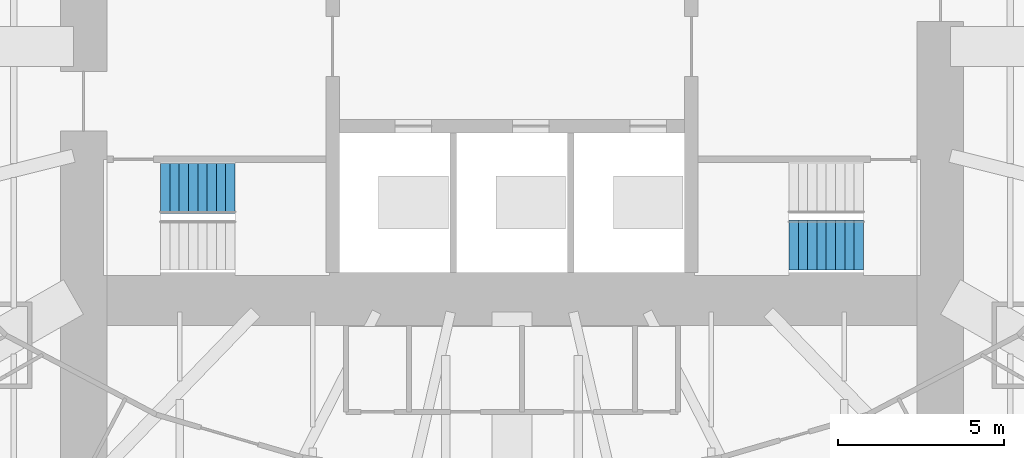
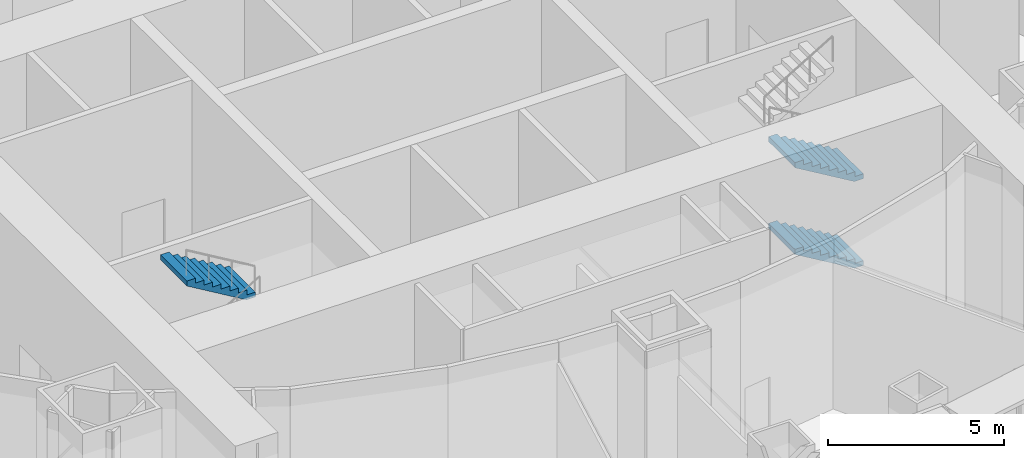
# One storey, part 17 of 21: 3 stair flights, 2 elements without a shape of their own.
"""IFC4 building model written with IfcOpenShell, lengths in metres."""

import ifcopenshell
import ifcopenshell.guid

model = None  # the IFC model being written
_history = None  # IfcOwnerHistory: only IFC2X3 demands one
_inside = {}  # id of a spatial element -> (the spatial element, [elements in it])
_under = {}  # id of a project, library or spatial element -> (it, [spatial elements below it])
_declared = {}  # id of a project -> (the project, [libraries it declares])
_typed = {}  # id of a type object -> (the type object, [elements of that type])
_made_of = {}  # id of a material, layer set ... -> (it, [elements and type objects made of it])


def new_model(schema):
    """Start an empty IFC model of exactly this schema.

    Asked for "IFC4X3", IfcOpenShell would pick the latest addendum, in which some entities
    have other attributes; the version numbers below select the first issue.
    IFC2X3 requires an IfcOwnerHistory on every rooted entity: one is made here for all.
    """
    global model, _history
    if schema == "IFC4X3":
        model = ifcopenshell.file(schema_version=(4, 3, 0, 0))
    else:
        model = ifcopenshell.file(schema=schema)
    _inside.clear()
    _under.clear()
    _declared.clear()
    _typed.clear()
    _made_of.clear()
    _history = None
    if model.schema == "IFC2X3":
        org = make("IfcOrganization", Name="unknown")
        user = make(
            "IfcPersonAndOrganization",
            ThePerson=make("IfcPerson", FamilyName="unknown"),
            TheOrganization=org,
        )
        app = make(
            "IfcApplication",
            ApplicationDeveloper=org,
            Version="unknown",
            ApplicationFullName="unknown",
            ApplicationIdentifier="unknown",
        )
        _history = make(
            "IfcOwnerHistory",
            OwningUser=user,
            OwningApplication=app,
            ChangeAction="ADDED",
            CreationDate=0,
        )
    return model


def make(cls, **values):
    """One entity of the class cls with the attributes given. An attribute that is None is left unset."""
    return model.create_entity(
        cls, **{name: value for name, value in values.items() if value is not None}
    )


def rooted(cls, **values):
    """An entity with a GlobalId (a new one), such as an element, a storey or a relation."""
    return make(cls, GlobalId=ifcopenshell.guid.new(), OwnerHistory=_history, **values)


def si_unit(unit_type, name, prefix=None):
    """IfcSIUnit, for example si_unit("LENGTHUNIT", "METRE", prefix="MILLI")."""
    return make("IfcSIUnit", UnitType=unit_type, Prefix=prefix, Name=name)


def assignment(units):
    """IfcUnitAssignment: the units of a project."""
    return None if units is None else make("IfcUnitAssignment", Units=units)


def point(xyz):
    """IfcCartesianPoint."""
    return None if xyz is None else make("IfcCartesianPoint", Coordinates=xyz)


def direction(xyz):
    """IfcDirection."""
    return None if xyz is None else make("IfcDirection", DirectionRatios=xyz)


def frame(location, z_axis=None, x_axis=None):
    """IfcAxis2Placement3D, a coordinate frame: its origin and axes. An axis left out is left unset."""
    return make(
        "IfcAxis2Placement3D",
        Location=point(location),
        Axis=direction(z_axis),
        RefDirection=direction(x_axis),
    )


def origin():
    """The frame at (0, 0, 0) with its axes left unset."""
    return frame((0.0, 0.0, 0.0))


def place(relative_to, where):
    """IfcLocalPlacement: puts the frame where relative to a parent placement (None: the world)."""
    return make(
        "IfcLocalPlacement", PlacementRelTo=relative_to, RelativePlacement=where
    )


def context(
    kind, dimensions, precision=None, world=None, true_north=None, identifier=None
):
    """IfcGeometricRepresentationContext, for example the 3D "Model" context."""
    return make(
        "IfcGeometricRepresentationContext",
        ContextIdentifier=identifier,
        ContextType=kind,
        CoordinateSpaceDimension=dimensions,
        Precision=precision,
        WorldCoordinateSystem=world,
        TrueNorth=true_north,
    )


def subcontext(parent, identifier, kind, view, scale=None):
    """IfcGeometricRepresentationSubContext, for example "Body" below "Model"."""
    return make(
        "IfcGeometricRepresentationSubContext",
        ContextIdentifier=identifier,
        ContextType=kind,
        ParentContext=parent,
        TargetScale=scale,
        TargetView=view,
    )


def project(units=None, contexts=None):
    """IfcProject with its units and contexts."""
    return rooted(
        "IfcProject",
        Name="project",
        RepresentationContexts=contexts,
        UnitsInContext=assignment(units),
    )


def spatial(cls, under=None, at=None, **own):
    """A site, building, storey or space (cls), placed at a placement, below another one or the project."""
    s = rooted(cls, ObjectPlacement=at, **own)
    if under is not None:
        _under.setdefault(under.id(), (under, []))[1].append(s)
    return s


def point_list(points):
    """IfcCartesianPointList2D or 3D."""
    cls = (
        "IfcCartesianPointList2D" if len(points[0]) == 2 else "IfcCartesianPointList3D"
    )
    return make(cls, CoordList=points)


def triangles(points, corners, closed=None, point_numbers=None):
    """IfcTriangulatedFaceSet: each triangle names its three corners, points numbered from 1."""
    return make(
        "IfcTriangulatedFaceSet",
        Coordinates=point_list(points),
        Closed=closed,
        CoordIndex=corners,
        PnIndex=point_numbers,
    )


def shape(context_of_items, identifier, shape_type, items):
    """IfcShapeRepresentation: the items that make up one representation, for example the "Body"."""
    return make(
        "IfcShapeRepresentation",
        ContextOfItems=context_of_items,
        RepresentationIdentifier=identifier,
        RepresentationType=shape_type,
        Items=items,
    )


def material(Name=None, Category=None):
    """IfcMaterial."""
    return make("IfcMaterial", Name=Name, Category=Category)


def made_of(thing, what):
    """Note that an element or type object is made of a material, layer set ...; save() writes the relation."""
    if what is not None:
        _made_of.setdefault(what.id(), (what, []))[1].append(thing)
    return thing


def type_object(cls, material=None, **own):
    """A type object (cls), such as IfcWallType, which elements share."""
    return made_of(rooted(cls, **own), material)


def element(
    cls,
    number,
    at=None,
    inside=None,
    cuts=None,
    type_object=None,
    material=None,
    context=None,
    identifier="Body",
    shape_type=None,
    held_by="IfcProductDefinitionShape",
    body=None,
    shapes=None,
    **own,
):
    """One element of the class cls, such as IfcWall. Its Tag is "e" and its number.

    at: its placement. inside: the storey or other place that contains it. cuts: it is an
    opening in that element (IfcRelVoidsElement). A single representation is given by context,
    identifier, shape_type and body (its items); several are given by shapes. held_by: the class
    of the entity that holds the representations. save() writes the other relations.
    """
    e = rooted(cls, Tag="e%d" % number, ObjectPlacement=at, **own)
    if body is not None:
        shapes = [shape(context, identifier, shape_type, body)]
    if shapes is not None:
        e.Representation = make(held_by, Representations=shapes)
    if inside is not None:
        _inside.setdefault(inside.id(), (inside, []))[1].append(e)
    if cuts is not None:
        rooted(
            "IfcRelVoidsElement", RelatingBuildingElement=cuts, RelatedOpeningElement=e
        )
    if type_object is not None:
        _typed.setdefault(type_object.id(), (type_object, []))[1].append(e)
    return made_of(e, material)


def aggregate(whole, parts):
    """IfcRelAggregates: a whole, such as a stair, and the parts it consists of."""
    return rooted("IfcRelAggregates", RelatingObject=whole, RelatedObjects=parts)


def save(model, path):
    """Write the relations noted so far, then the file.

    IfcRelAggregates (storeys below a building ...), IfcRelContainedInSpatialStructure (elements
    in a storey), IfcRelDefinesByType, IfcRelAssociatesMaterial and IfcRelDeclares: one each for
    every whole, place, type object, material and project.
    """
    for whole, parts in _under.values():
        aggregate(whole, parts)
    for where, things in _inside.values():
        rooted(
            "IfcRelContainedInSpatialStructure",
            RelatedElements=things,
            RelatingStructure=where,
        )
    for kind, things in _typed.values():
        rooted("IfcRelDefinesByType", RelatedObjects=things, RelatingType=kind)
    for what, things in _made_of.values():
        rooted("IfcRelAssociatesMaterial", RelatedObjects=things, RelatingMaterial=what)
    for by, libraries in _declared.values():
        rooted("IfcRelDeclares", RelatingContext=by, RelatedDefinitions=libraries)
    model.write(path)


model = new_model("IFC4")

# Units and contexts
model_context = context("Model", 3, precision=1e-05, world=origin(), true_north=direction((0.0, 1.0)))
body_context = subcontext(model_context, "Body", "Model", "MODEL_VIEW")
ifc_project = project(units=[si_unit("LENGTHUNIT", "METRE"), si_unit("AREAUNIT", "SQUARE_METRE"), si_unit("VOLUMEUNIT", "CUBIC_METRE"), si_unit("PLANEANGLEUNIT", "RADIAN"), si_unit("MASSUNIT", "GRAM", prefix="KILO")], contexts=[model_context])

# Site, building, storey
site_placement = place(None, origin())
site = spatial("IfcSite", under=ifc_project, at=site_placement, CompositionType="ELEMENT")
building_placement = place(site_placement, origin())
building = spatial("IfcBuilding", under=site, at=building_placement, Name="Lantaw Convention Tower", CompositionType="ELEMENT")
storey_placement = place(building_placement, frame((0.0, 0.0, 111.39990234375)))
storey = spatial("IfcBuildingStorey", under=building, at=storey_placement, Name="L26", CompositionType="ELEMENT", Elevation=111.39990234375)

# Stair, stair flight
ifc_material = material(Name="Concrete C35/45", Category="concrete")
stair_type = type_object("IfcStairType", Name="Exit stair 1500 riser 166.67 in 4 flights", PredefinedType="HALF_TURN_STAIR", material=ifc_material)
stair_1_placement = place(storey_placement, origin())
stair_1 = element("IfcStair", 1, at=stair_1_placement, inside=storey, type_object=stair_type, Name="Exit stair S1 L26", PredefinedType="HALF_TURN_STAIR")
stair_flight_type = type_object("IfcStairFlightType", Name="Stair flight 1500 riser 166.67", PredefinedType="STRAIGHT", material=ifc_material)
stair_flight_1_placement = place(storey_placement, frame((-8.340087890625, -4.280029296875, 4.5), z_axis=(0.0, 0.0, 1.0), x_axis=(-1.0, 0.0, 0.0)))
stair_flight_1 = element("IfcStairFlight", 2, at=stair_flight_1_placement, type_object=stair_flight_type, Name="S1 flight 4", NumberOfRisers=9, NumberOfTreads=8, PredefinedType="STRAIGHT", RiserHeight=0.166666667, TreadLength=0.28, context=body_context, shape_type="Tessellation", body=[
    triangles([(0.0, 0.75, 0.0), (0.0, 0.75, 0.166666667), (0.28, 0.75, 0.0), (0.28, 0.75, 0.166666667), (0.28, 0.75, 0.333333334), (0.2930734580690677, 0.75, 0.0), (0.2930734580690677, 0.75, 0.333333334), (0.56, 0.75, 0.1588848467052294), (0.56, 0.75, 0.333333334), (0.56, 0.75, 0.500000001), (0.8400000000000001, 0.75, 0.32555151370522933), (0.8400000000000001, 0.75, 0.500000001), (0.8400000000000001, 0.75, 0.666666668), (1.12, 0.75, 0.4922181807052293), (1.12, 0.75, 0.666666668), (1.12, 0.75, 0.833333335), (1.4000000000000001, 0.75, 0.6588848477052293), (1.4000000000000001, 0.75, 0.833333335), (1.4000000000000001, 0.75, 1.000000002), (1.6800000000000002, 0.75, 0.8255515147052293), (1.6800000000000002, 0.75, 1.000000002), (1.6800000000000002, 0.75, 1.166666669), (1.9600000000000002, 0.75, 0.9922181817052292), (1.9600000000000002, 0.75, 1.166666669), (1.9600000000000002, 0.75, 1.333333336), (2.24, 0.75, 1.1588848487052292), (2.24, 0.75, 1.333333336), (0.0, -0.75, 0.0), (0.0, -0.75, 0.166666667), (0.28, -0.75, 0.0), (0.28, -0.75, 0.166666667), (0.28, -0.75, 0.333333334), (0.2930734580690677, -0.75, 0.0), (0.2930734580690677, -0.75, 0.333333334), (0.56, -0.75, 0.1588848467052294), (0.56, -0.75, 0.333333334), (0.56, -0.75, 0.500000001), (0.8400000000000001, -0.75, 0.32555151370522933), (0.8400000000000001, -0.75, 0.500000001), (0.8400000000000001, -0.75, 0.666666668), (1.12, -0.75, 0.4922181807052293), (1.12, -0.75, 0.666666668), (1.12, -0.75, 0.833333335), (1.4000000000000001, -0.75, 0.6588848477052293), (1.4000000000000001, -0.75, 0.833333335), (1.4000000000000001, -0.75, 1.000000002), (1.6800000000000002, -0.75, 0.8255515147052293), (1.6800000000000002, -0.75, 1.000000002), (1.6800000000000002, -0.75, 1.166666669), (1.9600000000000002, -0.75, 0.9922181817052292), (1.9600000000000002, -0.75, 1.166666669), (1.9600000000000002, -0.75, 1.333333336), (2.24, -0.75, 1.1588848487052292), (2.24, -0.75, 1.333333336), (0.0, 0.15000000000000002, 0.166666667), (0.0, 0.15000000000000002, 0.0), (0.0, 0.0, 0.166666667), (0.0, 0.0, 0.0), (0.0, -0.15000000000000002, 0.166666667), (0.0, -0.15000000000000002, 0.0), (0.28, 0.15000000000000002, 0.333333334), (0.28, 0.15000000000000002, 0.166666667), (0.28, 0.0, 0.333333334), (0.28, 0.0, 0.166666667), (0.28, -0.15000000000000002, 0.333333334), (0.28, -0.15000000000000002, 0.166666667), (0.56, 0.15000000000000002, 0.500000001), (0.56, 0.15000000000000002, 0.333333334), (0.56, 0.0, 0.500000001), (0.56, 0.0, 0.333333334), (0.56, -0.15000000000000002, 0.500000001), (0.56, -0.15000000000000002, 0.333333334), (0.8400000000000001, 0.15000000000000002, 0.666666668), (0.8400000000000001, 0.15000000000000002, 0.500000001), (0.8400000000000001, 0.0, 0.666666668), (0.8400000000000001, 0.0, 0.500000001), (0.8400000000000001, -0.15000000000000002, 0.666666668), (0.8400000000000001, -0.15000000000000002, 0.500000001), (1.12, 0.15000000000000002, 0.833333335), (1.12, 0.15000000000000002, 0.666666668), (1.12, 0.0, 0.833333335), (1.12, 0.0, 0.666666668), (1.12, -0.15000000000000002, 0.833333335), (1.12, -0.15000000000000002, 0.666666668), (1.4000000000000001, 0.15000000000000002, 1.000000002), (1.4000000000000001, 0.15000000000000002, 0.833333335), (1.4000000000000001, 0.0, 1.000000002), (1.4000000000000001, 0.0, 0.833333335), (1.4000000000000001, -0.15000000000000002, 1.000000002), (1.4000000000000001, -0.15000000000000002, 0.833333335), (1.6800000000000002, 0.15000000000000002, 1.166666669), (1.6800000000000002, 0.15000000000000002, 1.000000002), (1.6800000000000002, 0.0, 1.166666669), (1.6800000000000002, 0.0, 1.000000002), (1.6800000000000002, -0.15000000000000002, 1.166666669), (1.6800000000000002, -0.15000000000000002, 1.000000002), (1.9600000000000002, 0.15000000000000002, 1.333333336), (1.9600000000000002, 0.15000000000000002, 1.166666669), (1.9600000000000002, 0.0, 1.333333336), (1.9600000000000002, 0.0, 1.166666669), (1.9600000000000002, -0.15000000000000002, 1.333333336), (1.9600000000000002, -0.15000000000000002, 1.166666669), (0.2930734580690677, 0.15000000000000002, 0.333333334), (0.2930734580690677, 0.0, 0.333333334), (0.2930734580690677, -0.15000000000000002, 0.333333334), (2.24, 0.15000000000000002, 1.333333336), (2.24, 0.0, 1.333333336), (2.24, -0.15000000000000002, 1.333333336), (2.24, 0.15000000000000002, 1.1588848487052292), (2.24, 0.0, 1.1588848487052292), (2.24, -0.15000000000000002, 1.1588848487052292), (1.9600000000000002, 0.15000000000000002, 0.9922181817052292), (1.9600000000000002, 0.0, 0.9922181817052292), (1.9600000000000002, -0.15000000000000002, 0.9922181817052292), (1.6800000000000002, 0.15000000000000002, 0.8255515147052293), (1.6800000000000002, 0.0, 0.8255515147052293), (1.6800000000000002, -0.15000000000000002, 0.8255515147052293), (1.4000000000000001, 0.15000000000000002, 0.6588848477052293), (1.4000000000000001, 0.0, 0.6588848477052293), (1.4000000000000001, -0.15000000000000002, 0.6588848477052293), (1.12, 0.15000000000000002, 0.4922181807052293), (1.12, 0.0, 0.4922181807052293), (1.12, -0.15000000000000002, 0.4922181807052293), (0.8400000000000001, 0.15000000000000002, 0.32555151370522933), (0.8400000000000001, 0.0, 0.32555151370522933), (0.8400000000000001, -0.15000000000000002, 0.32555151370522933), (0.56, 0.15000000000000002, 0.1588848467052294), (0.56, 0.0, 0.1588848467052294), (0.56, -0.15000000000000002, 0.1588848467052294), (0.2930734580690677, 0.15000000000000002, 0.0), (0.2930734580690677, 0.0, 0.0), (0.2930734580690677, -0.15000000000000002, 0.0), (0.28, 0.15000000000000002, 0.0), (0.28, 0.0, 0.0), (0.28, -0.15000000000000002, 0.0)], [[1, 4, 3], [1, 2, 4], [3, 4, 6], [4, 7, 6], [4, 5, 7], [6, 9, 8], [6, 7, 9], [8, 9, 11], [9, 12, 11], [9, 10, 12], [11, 12, 14], [12, 15, 14], [12, 13, 15], [14, 15, 17], [15, 18, 17], [15, 16, 18], [17, 18, 20], [18, 21, 20], [18, 19, 21], [20, 21, 23], [21, 24, 23], [21, 22, 24], [23, 24, 26], [24, 27, 26], [24, 25, 27], [28, 30, 31], [28, 31, 29], [30, 33, 31], [31, 33, 34], [31, 34, 32], [33, 35, 36], [33, 36, 34], [35, 38, 36], [36, 38, 39], [36, 39, 37], [38, 41, 39], [39, 41, 42], [39, 42, 40], [41, 44, 42], [42, 44, 45], [42, 45, 43], [44, 47, 45], [45, 47, 48], [45, 48, 46], [47, 50, 48], [48, 50, 51], [48, 51, 49], [50, 53, 51], [51, 53, 54], [51, 54, 52], [1, 55, 2], [1, 56, 55], [56, 57, 55], [56, 58, 57], [58, 59, 57], [58, 60, 59], [60, 29, 59], [60, 28, 29], [4, 61, 5], [4, 62, 61], [62, 63, 61], [62, 64, 63], [64, 65, 63], [64, 66, 65], [66, 32, 65], [66, 31, 32], [9, 67, 10], [9, 68, 67], [68, 69, 67], [68, 70, 69], [70, 71, 69], [70, 72, 71], [72, 37, 71], [72, 36, 37], [12, 73, 13], [12, 74, 73], [74, 75, 73], [74, 76, 75], [76, 77, 75], [76, 78, 77], [78, 40, 77], [78, 39, 40], [15, 79, 16], [15, 80, 79], [80, 81, 79], [80, 82, 81], [82, 83, 81], [82, 84, 83], [84, 43, 83], [84, 42, 43], [18, 85, 19], [18, 86, 85], [86, 87, 85], [86, 88, 87], [88, 89, 87], [88, 90, 89], [90, 46, 89], [90, 45, 46], [21, 91, 22], [21, 92, 91], [92, 93, 91], [92, 94, 93], [94, 95, 93], [94, 96, 95], [96, 49, 95], [96, 48, 49], [24, 97, 25], [24, 98, 97], [98, 99, 97], [98, 100, 99], [100, 101, 99], [100, 102, 101], [102, 52, 101], [102, 51, 52], [2, 62, 4], [2, 55, 62], [55, 64, 62], [55, 57, 64], [57, 66, 64], [57, 59, 66], [59, 31, 66], [59, 29, 31], [5, 103, 7], [5, 61, 103], [61, 104, 103], [61, 63, 104], [63, 105, 104], [63, 65, 105], [65, 34, 105], [65, 32, 34], [7, 68, 9], [7, 103, 68], [103, 70, 68], [103, 104, 70], [104, 72, 70], [104, 105, 72], [105, 36, 72], [105, 34, 36], [10, 74, 12], [10, 67, 74], [67, 76, 74], [67, 69, 76], [69, 78, 76], [69, 71, 78], [71, 39, 78], [71, 37, 39], [13, 80, 15], [13, 73, 80], [73, 82, 80], [73, 75, 82], [75, 84, 82], [75, 77, 84], [77, 42, 84], [77, 40, 42], [16, 86, 18], [16, 79, 86], [79, 88, 86], [79, 81, 88], [81, 90, 88], [81, 83, 90], [83, 45, 90], [83, 43, 45], [19, 92, 21], [19, 85, 92], [85, 94, 92], [85, 87, 94], [87, 96, 94], [87, 89, 96], [89, 48, 96], [89, 46, 48], [22, 98, 24], [22, 91, 98], [91, 100, 98], [91, 93, 100], [93, 102, 100], [93, 95, 102], [95, 51, 102], [95, 49, 51], [25, 106, 27], [25, 97, 106], [97, 107, 106], [97, 99, 107], [99, 108, 107], [99, 101, 108], [101, 54, 108], [101, 52, 54], [27, 109, 26], [27, 106, 109], [106, 110, 109], [106, 107, 110], [107, 111, 110], [107, 108, 111], [108, 53, 111], [108, 54, 53], [26, 112, 23], [26, 109, 112], [109, 113, 112], [109, 110, 113], [110, 114, 113], [110, 111, 114], [111, 50, 114], [111, 53, 50], [23, 115, 20], [23, 112, 115], [112, 116, 115], [112, 113, 116], [113, 117, 116], [113, 114, 117], [114, 47, 117], [114, 50, 47], [20, 118, 17], [20, 115, 118], [115, 119, 118], [115, 116, 119], [116, 120, 119], [116, 117, 120], [117, 44, 120], [117, 47, 44], [17, 121, 14], [17, 118, 121], [118, 122, 121], [118, 119, 122], [119, 123, 122], [119, 120, 123], [120, 41, 123], [120, 44, 41], [14, 124, 11], [14, 121, 124], [121, 125, 124], [121, 122, 125], [122, 126, 125], [122, 123, 126], [123, 38, 126], [123, 41, 38], [11, 127, 8], [11, 124, 127], [124, 128, 127], [124, 125, 128], [125, 129, 128], [125, 126, 129], [126, 35, 129], [126, 38, 35], [8, 130, 6], [8, 127, 130], [127, 131, 130], [127, 128, 131], [128, 132, 131], [128, 129, 132], [129, 33, 132], [129, 35, 33], [6, 133, 3], [6, 130, 133], [130, 134, 133], [130, 131, 134], [131, 135, 134], [131, 132, 135], [132, 30, 135], [132, 33, 30], [3, 56, 1], [3, 133, 56], [133, 58, 56], [133, 134, 58], [134, 60, 58], [134, 135, 60], [135, 28, 60], [135, 30, 28]], closed=True),
])
aggregate(stair_1, [stair_flight_1])

# Stair, stair flights
stair_2_placement = place(storey_placement, origin())
stair_2 = element("IfcStair", 3, at=stair_2_placement, inside=storey, type_object=stair_type, Name="Exit stair S2 L26", PredefinedType="HALF_TURN_STAIR")
stair_flight_2_placement = place(storey_placement, frame((10.580078125, -5.97998046875, 0.0), z_axis=(0.0, 0.0, 1.0), x_axis=(-1.0, 0.0, 0.0)))
stair_flight_2 = element("IfcStairFlight", 4, at=stair_flight_2_placement, type_object=stair_flight_type, Name="S2 flight 1", NumberOfRisers=9, NumberOfTreads=8, PredefinedType="STRAIGHT", RiserHeight=0.166666667, TreadLength=0.28, context=body_context, shape_type="Tessellation", body=[
    triangles([(0.0, 0.75, 0.0), (0.0, 0.75, 0.166666667), (0.28, 0.75, 0.0), (0.28, 0.75, 0.166666667), (0.28, 0.75, 0.333333334), (0.2930734580690677, 0.75, 0.0), (0.2930734580690677, 0.75, 0.333333334), (0.56, 0.75, 0.1588848467052294), (0.56, 0.75, 0.333333334), (0.56, 0.75, 0.500000001), (0.8400000000000001, 0.75, 0.32555151370522933), (0.8400000000000001, 0.75, 0.500000001), (0.8400000000000001, 0.75, 0.666666668), (1.12, 0.75, 0.4922181807052293), (1.12, 0.75, 0.666666668), (1.12, 0.75, 0.833333335), (1.4000000000000001, 0.75, 0.6588848477052293), (1.4000000000000001, 0.75, 0.833333335), (1.4000000000000001, 0.75, 1.000000002), (1.6800000000000002, 0.75, 0.8255515147052293), (1.6800000000000002, 0.75, 1.000000002), (1.6800000000000002, 0.75, 1.166666669), (1.9600000000000002, 0.75, 0.9922181817052292), (1.9600000000000002, 0.75, 1.166666669), (1.9600000000000002, 0.75, 1.333333336), (2.24, 0.75, 1.1588848487052292), (2.24, 0.75, 1.333333336), (0.0, -0.75, 0.0), (0.0, -0.75, 0.166666667), (0.28, -0.75, 0.0), (0.28, -0.75, 0.166666667), (0.28, -0.75, 0.333333334), (0.2930734580690677, -0.75, 0.0), (0.2930734580690677, -0.75, 0.333333334), (0.56, -0.75, 0.1588848467052294), (0.56, -0.75, 0.333333334), (0.56, -0.75, 0.500000001), (0.8400000000000001, -0.75, 0.32555151370522933), (0.8400000000000001, -0.75, 0.500000001), (0.8400000000000001, -0.75, 0.666666668), (1.12, -0.75, 0.4922181807052293), (1.12, -0.75, 0.666666668), (1.12, -0.75, 0.833333335), (1.4000000000000001, -0.75, 0.6588848477052293), (1.4000000000000001, -0.75, 0.833333335), (1.4000000000000001, -0.75, 1.000000002), (1.6800000000000002, -0.75, 0.8255515147052293), (1.6800000000000002, -0.75, 1.000000002), (1.6800000000000002, -0.75, 1.166666669), (1.9600000000000002, -0.75, 0.9922181817052292), (1.9600000000000002, -0.75, 1.166666669), (1.9600000000000002, -0.75, 1.333333336), (2.24, -0.75, 1.1588848487052292), (2.24, -0.75, 1.333333336), (0.0, 0.15000000000000002, 0.166666667), (0.0, 0.15000000000000002, 0.0), (0.0, 0.0, 0.166666667), (0.0, 0.0, 0.0), (0.0, -0.15000000000000002, 0.166666667), (0.0, -0.15000000000000002, 0.0), (0.28, 0.15000000000000002, 0.333333334), (0.28, 0.15000000000000002, 0.166666667), (0.28, 0.0, 0.333333334), (0.28, 0.0, 0.166666667), (0.28, -0.15000000000000002, 0.333333334), (0.28, -0.15000000000000002, 0.166666667), (0.56, 0.15000000000000002, 0.500000001), (0.56, 0.15000000000000002, 0.333333334), (0.56, 0.0, 0.500000001), (0.56, 0.0, 0.333333334), (0.56, -0.15000000000000002, 0.500000001), (0.56, -0.15000000000000002, 0.333333334), (0.8400000000000001, 0.15000000000000002, 0.666666668), (0.8400000000000001, 0.15000000000000002, 0.500000001), (0.8400000000000001, 0.0, 0.666666668), (0.8400000000000001, 0.0, 0.500000001), (0.8400000000000001, -0.15000000000000002, 0.666666668), (0.8400000000000001, -0.15000000000000002, 0.500000001), (1.12, 0.15000000000000002, 0.833333335), (1.12, 0.15000000000000002, 0.666666668), (1.12, 0.0, 0.833333335), (1.12, 0.0, 0.666666668), (1.12, -0.15000000000000002, 0.833333335), (1.12, -0.15000000000000002, 0.666666668), (1.4000000000000001, 0.15000000000000002, 1.000000002), (1.4000000000000001, 0.15000000000000002, 0.833333335), (1.4000000000000001, 0.0, 1.000000002), (1.4000000000000001, 0.0, 0.833333335), (1.4000000000000001, -0.15000000000000002, 1.000000002), (1.4000000000000001, -0.15000000000000002, 0.833333335), (1.6800000000000002, 0.15000000000000002, 1.166666669), (1.6800000000000002, 0.15000000000000002, 1.000000002), (1.6800000000000002, 0.0, 1.166666669), (1.6800000000000002, 0.0, 1.000000002), (1.6800000000000002, -0.15000000000000002, 1.166666669), (1.6800000000000002, -0.15000000000000002, 1.000000002), (1.9600000000000002, 0.15000000000000002, 1.333333336), (1.9600000000000002, 0.15000000000000002, 1.166666669), (1.9600000000000002, 0.0, 1.333333336), (1.9600000000000002, 0.0, 1.166666669), (1.9600000000000002, -0.15000000000000002, 1.333333336), (1.9600000000000002, -0.15000000000000002, 1.166666669), (0.2930734580690677, 0.15000000000000002, 0.333333334), (0.2930734580690677, 0.0, 0.333333334), (0.2930734580690677, -0.15000000000000002, 0.333333334), (2.24, 0.15000000000000002, 1.333333336), (2.24, 0.0, 1.333333336), (2.24, -0.15000000000000002, 1.333333336), (2.24, 0.15000000000000002, 1.1588848487052292), (2.24, 0.0, 1.1588848487052292), (2.24, -0.15000000000000002, 1.1588848487052292), (1.9600000000000002, 0.15000000000000002, 0.9922181817052292), (1.9600000000000002, 0.0, 0.9922181817052292), (1.9600000000000002, -0.15000000000000002, 0.9922181817052292), (1.6800000000000002, 0.15000000000000002, 0.8255515147052293), (1.6800000000000002, 0.0, 0.8255515147052293), (1.6800000000000002, -0.15000000000000002, 0.8255515147052293), (1.4000000000000001, 0.15000000000000002, 0.6588848477052293), (1.4000000000000001, 0.0, 0.6588848477052293), (1.4000000000000001, -0.15000000000000002, 0.6588848477052293), (1.12, 0.15000000000000002, 0.4922181807052293), (1.12, 0.0, 0.4922181807052293), (1.12, -0.15000000000000002, 0.4922181807052293), (0.8400000000000001, 0.15000000000000002, 0.32555151370522933), (0.8400000000000001, 0.0, 0.32555151370522933), (0.8400000000000001, -0.15000000000000002, 0.32555151370522933), (0.56, 0.15000000000000002, 0.1588848467052294), (0.56, 0.0, 0.1588848467052294), (0.56, -0.15000000000000002, 0.1588848467052294), (0.2930734580690677, 0.15000000000000002, 0.0), (0.2930734580690677, 0.0, 0.0), (0.2930734580690677, -0.15000000000000002, 0.0), (0.28, 0.15000000000000002, 0.0), (0.28, 0.0, 0.0), (0.28, -0.15000000000000002, 0.0)], [[1, 4, 3], [1, 2, 4], [3, 4, 6], [4, 7, 6], [4, 5, 7], [6, 9, 8], [6, 7, 9], [8, 9, 11], [9, 12, 11], [9, 10, 12], [11, 12, 14], [12, 15, 14], [12, 13, 15], [14, 15, 17], [15, 18, 17], [15, 16, 18], [17, 18, 20], [18, 21, 20], [18, 19, 21], [20, 21, 23], [21, 24, 23], [21, 22, 24], [23, 24, 26], [24, 27, 26], [24, 25, 27], [28, 30, 31], [28, 31, 29], [30, 33, 31], [31, 33, 34], [31, 34, 32], [33, 35, 36], [33, 36, 34], [35, 38, 36], [36, 38, 39], [36, 39, 37], [38, 41, 39], [39, 41, 42], [39, 42, 40], [41, 44, 42], [42, 44, 45], [42, 45, 43], [44, 47, 45], [45, 47, 48], [45, 48, 46], [47, 50, 48], [48, 50, 51], [48, 51, 49], [50, 53, 51], [51, 53, 54], [51, 54, 52], [1, 55, 2], [1, 56, 55], [56, 57, 55], [56, 58, 57], [58, 59, 57], [58, 60, 59], [60, 29, 59], [60, 28, 29], [4, 61, 5], [4, 62, 61], [62, 63, 61], [62, 64, 63], [64, 65, 63], [64, 66, 65], [66, 32, 65], [66, 31, 32], [9, 67, 10], [9, 68, 67], [68, 69, 67], [68, 70, 69], [70, 71, 69], [70, 72, 71], [72, 37, 71], [72, 36, 37], [12, 73, 13], [12, 74, 73], [74, 75, 73], [74, 76, 75], [76, 77, 75], [76, 78, 77], [78, 40, 77], [78, 39, 40], [15, 79, 16], [15, 80, 79], [80, 81, 79], [80, 82, 81], [82, 83, 81], [82, 84, 83], [84, 43, 83], [84, 42, 43], [18, 85, 19], [18, 86, 85], [86, 87, 85], [86, 88, 87], [88, 89, 87], [88, 90, 89], [90, 46, 89], [90, 45, 46], [21, 91, 22], [21, 92, 91], [92, 93, 91], [92, 94, 93], [94, 95, 93], [94, 96, 95], [96, 49, 95], [96, 48, 49], [24, 97, 25], [24, 98, 97], [98, 99, 97], [98, 100, 99], [100, 101, 99], [100, 102, 101], [102, 52, 101], [102, 51, 52], [2, 62, 4], [2, 55, 62], [55, 64, 62], [55, 57, 64], [57, 66, 64], [57, 59, 66], [59, 31, 66], [59, 29, 31], [5, 103, 7], [5, 61, 103], [61, 104, 103], [61, 63, 104], [63, 105, 104], [63, 65, 105], [65, 34, 105], [65, 32, 34], [7, 68, 9], [7, 103, 68], [103, 70, 68], [103, 104, 70], [104, 72, 70], [104, 105, 72], [105, 36, 72], [105, 34, 36], [10, 74, 12], [10, 67, 74], [67, 76, 74], [67, 69, 76], [69, 78, 76], [69, 71, 78], [71, 39, 78], [71, 37, 39], [13, 80, 15], [13, 73, 80], [73, 82, 80], [73, 75, 82], [75, 84, 82], [75, 77, 84], [77, 42, 84], [77, 40, 42], [16, 86, 18], [16, 79, 86], [79, 88, 86], [79, 81, 88], [81, 90, 88], [81, 83, 90], [83, 45, 90], [83, 43, 45], [19, 92, 21], [19, 85, 92], [85, 94, 92], [85, 87, 94], [87, 96, 94], [87, 89, 96], [89, 48, 96], [89, 46, 48], [22, 98, 24], [22, 91, 98], [91, 100, 98], [91, 93, 100], [93, 102, 100], [93, 95, 102], [95, 51, 102], [95, 49, 51], [25, 106, 27], [25, 97, 106], [97, 107, 106], [97, 99, 107], [99, 108, 107], [99, 101, 108], [101, 54, 108], [101, 52, 54], [27, 109, 26], [27, 106, 109], [106, 110, 109], [106, 107, 110], [107, 111, 110], [107, 108, 111], [108, 53, 111], [108, 54, 53], [26, 112, 23], [26, 109, 112], [109, 113, 112], [109, 110, 113], [110, 114, 113], [110, 111, 114], [111, 50, 114], [111, 53, 50], [23, 115, 20], [23, 112, 115], [112, 116, 115], [112, 113, 116], [113, 117, 116], [113, 114, 117], [114, 47, 117], [114, 50, 47], [20, 118, 17], [20, 115, 118], [115, 119, 118], [115, 116, 119], [116, 120, 119], [116, 117, 120], [117, 44, 120], [117, 47, 44], [17, 121, 14], [17, 118, 121], [118, 122, 121], [118, 119, 122], [119, 123, 122], [119, 120, 123], [120, 41, 123], [120, 44, 41], [14, 124, 11], [14, 121, 124], [121, 125, 124], [121, 122, 125], [122, 126, 125], [122, 123, 126], [123, 38, 126], [123, 41, 38], [11, 127, 8], [11, 124, 127], [124, 128, 127], [124, 125, 128], [125, 129, 128], [125, 126, 129], [126, 35, 129], [126, 38, 35], [8, 130, 6], [8, 127, 130], [127, 131, 130], [127, 128, 131], [128, 132, 131], [128, 129, 132], [129, 33, 132], [129, 35, 33], [6, 133, 3], [6, 130, 133], [130, 134, 133], [130, 131, 134], [131, 135, 134], [131, 132, 135], [132, 30, 135], [132, 33, 30], [3, 56, 1], [3, 133, 56], [133, 58, 56], [133, 134, 58], [134, 60, 58], [134, 135, 60], [135, 28, 60], [135, 30, 28]], closed=True),
])
stair_flight_3_placement = place(storey_placement, frame((10.580078125, -5.97998046875, 3.0), z_axis=(0.0, 0.0, 1.0), x_axis=(-1.0, 0.0, 0.0)))
stair_flight_3 = element("IfcStairFlight", 5, at=stair_flight_3_placement, type_object=stair_flight_type, Name="S2 flight 3", NumberOfRisers=9, NumberOfTreads=8, PredefinedType="STRAIGHT", RiserHeight=0.166666667, TreadLength=0.28, context=body_context, shape_type="Tessellation", body=[
    triangles([(0.0, 0.75, 0.0), (0.0, 0.75, 0.166666667), (0.28, 0.75, 0.0), (0.28, 0.75, 0.166666667), (0.28, 0.75, 0.333333334), (0.2930734580690677, 0.75, 0.0), (0.2930734580690677, 0.75, 0.333333334), (0.56, 0.75, 0.1588848467052294), (0.56, 0.75, 0.333333334), (0.56, 0.75, 0.500000001), (0.8400000000000001, 0.75, 0.32555151370522933), (0.8400000000000001, 0.75, 0.500000001), (0.8400000000000001, 0.75, 0.666666668), (1.12, 0.75, 0.4922181807052293), (1.12, 0.75, 0.666666668), (1.12, 0.75, 0.833333335), (1.4000000000000001, 0.75, 0.6588848477052293), (1.4000000000000001, 0.75, 0.833333335), (1.4000000000000001, 0.75, 1.000000002), (1.6800000000000002, 0.75, 0.8255515147052293), (1.6800000000000002, 0.75, 1.000000002), (1.6800000000000002, 0.75, 1.166666669), (1.9600000000000002, 0.75, 0.9922181817052292), (1.9600000000000002, 0.75, 1.166666669), (1.9600000000000002, 0.75, 1.333333336), (2.24, 0.75, 1.1588848487052292), (2.24, 0.75, 1.333333336), (0.0, -0.75, 0.0), (0.0, -0.75, 0.166666667), (0.28, -0.75, 0.0), (0.28, -0.75, 0.166666667), (0.28, -0.75, 0.333333334), (0.2930734580690677, -0.75, 0.0), (0.2930734580690677, -0.75, 0.333333334), (0.56, -0.75, 0.1588848467052294), (0.56, -0.75, 0.333333334), (0.56, -0.75, 0.500000001), (0.8400000000000001, -0.75, 0.32555151370522933), (0.8400000000000001, -0.75, 0.500000001), (0.8400000000000001, -0.75, 0.666666668), (1.12, -0.75, 0.4922181807052293), (1.12, -0.75, 0.666666668), (1.12, -0.75, 0.833333335), (1.4000000000000001, -0.75, 0.6588848477052293), (1.4000000000000001, -0.75, 0.833333335), (1.4000000000000001, -0.75, 1.000000002), (1.6800000000000002, -0.75, 0.8255515147052293), (1.6800000000000002, -0.75, 1.000000002), (1.6800000000000002, -0.75, 1.166666669), (1.9600000000000002, -0.75, 0.9922181817052292), (1.9600000000000002, -0.75, 1.166666669), (1.9600000000000002, -0.75, 1.333333336), (2.24, -0.75, 1.1588848487052292), (2.24, -0.75, 1.333333336), (0.0, 0.15000000000000002, 0.166666667), (0.0, 0.15000000000000002, 0.0), (0.0, 0.0, 0.166666667), (0.0, 0.0, 0.0), (0.0, -0.15000000000000002, 0.166666667), (0.0, -0.15000000000000002, 0.0), (0.28, 0.15000000000000002, 0.333333334), (0.28, 0.15000000000000002, 0.166666667), (0.28, 0.0, 0.333333334), (0.28, 0.0, 0.166666667), (0.28, -0.15000000000000002, 0.333333334), (0.28, -0.15000000000000002, 0.166666667), (0.56, 0.15000000000000002, 0.500000001), (0.56, 0.15000000000000002, 0.333333334), (0.56, 0.0, 0.500000001), (0.56, 0.0, 0.333333334), (0.56, -0.15000000000000002, 0.500000001), (0.56, -0.15000000000000002, 0.333333334), (0.8400000000000001, 0.15000000000000002, 0.666666668), (0.8400000000000001, 0.15000000000000002, 0.500000001), (0.8400000000000001, 0.0, 0.666666668), (0.8400000000000001, 0.0, 0.500000001), (0.8400000000000001, -0.15000000000000002, 0.666666668), (0.8400000000000001, -0.15000000000000002, 0.500000001), (1.12, 0.15000000000000002, 0.833333335), (1.12, 0.15000000000000002, 0.666666668), (1.12, 0.0, 0.833333335), (1.12, 0.0, 0.666666668), (1.12, -0.15000000000000002, 0.833333335), (1.12, -0.15000000000000002, 0.666666668), (1.4000000000000001, 0.15000000000000002, 1.000000002), (1.4000000000000001, 0.15000000000000002, 0.833333335), (1.4000000000000001, 0.0, 1.000000002), (1.4000000000000001, 0.0, 0.833333335), (1.4000000000000001, -0.15000000000000002, 1.000000002), (1.4000000000000001, -0.15000000000000002, 0.833333335), (1.6800000000000002, 0.15000000000000002, 1.166666669), (1.6800000000000002, 0.15000000000000002, 1.000000002), (1.6800000000000002, 0.0, 1.166666669), (1.6800000000000002, 0.0, 1.000000002), (1.6800000000000002, -0.15000000000000002, 1.166666669), (1.6800000000000002, -0.15000000000000002, 1.000000002), (1.9600000000000002, 0.15000000000000002, 1.333333336), (1.9600000000000002, 0.15000000000000002, 1.166666669), (1.9600000000000002, 0.0, 1.333333336), (1.9600000000000002, 0.0, 1.166666669), (1.9600000000000002, -0.15000000000000002, 1.333333336), (1.9600000000000002, -0.15000000000000002, 1.166666669), (0.2930734580690677, 0.15000000000000002, 0.333333334), (0.2930734580690677, 0.0, 0.333333334), (0.2930734580690677, -0.15000000000000002, 0.333333334), (2.24, 0.15000000000000002, 1.333333336), (2.24, 0.0, 1.333333336), (2.24, -0.15000000000000002, 1.333333336), (2.24, 0.15000000000000002, 1.1588848487052292), (2.24, 0.0, 1.1588848487052292), (2.24, -0.15000000000000002, 1.1588848487052292), (1.9600000000000002, 0.15000000000000002, 0.9922181817052292), (1.9600000000000002, 0.0, 0.9922181817052292), (1.9600000000000002, -0.15000000000000002, 0.9922181817052292), (1.6800000000000002, 0.15000000000000002, 0.8255515147052293), (1.6800000000000002, 0.0, 0.8255515147052293), (1.6800000000000002, -0.15000000000000002, 0.8255515147052293), (1.4000000000000001, 0.15000000000000002, 0.6588848477052293), (1.4000000000000001, 0.0, 0.6588848477052293), (1.4000000000000001, -0.15000000000000002, 0.6588848477052293), (1.12, 0.15000000000000002, 0.4922181807052293), (1.12, 0.0, 0.4922181807052293), (1.12, -0.15000000000000002, 0.4922181807052293), (0.8400000000000001, 0.15000000000000002, 0.32555151370522933), (0.8400000000000001, 0.0, 0.32555151370522933), (0.8400000000000001, -0.15000000000000002, 0.32555151370522933), (0.56, 0.15000000000000002, 0.1588848467052294), (0.56, 0.0, 0.1588848467052294), (0.56, -0.15000000000000002, 0.1588848467052294), (0.2930734580690677, 0.15000000000000002, 0.0), (0.2930734580690677, 0.0, 0.0), (0.2930734580690677, -0.15000000000000002, 0.0), (0.28, 0.15000000000000002, 0.0), (0.28, 0.0, 0.0), (0.28, -0.15000000000000002, 0.0)], [[1, 4, 3], [1, 2, 4], [3, 4, 6], [4, 7, 6], [4, 5, 7], [6, 9, 8], [6, 7, 9], [8, 9, 11], [9, 12, 11], [9, 10, 12], [11, 12, 14], [12, 15, 14], [12, 13, 15], [14, 15, 17], [15, 18, 17], [15, 16, 18], [17, 18, 20], [18, 21, 20], [18, 19, 21], [20, 21, 23], [21, 24, 23], [21, 22, 24], [23, 24, 26], [24, 27, 26], [24, 25, 27], [28, 30, 31], [28, 31, 29], [30, 33, 31], [31, 33, 34], [31, 34, 32], [33, 35, 36], [33, 36, 34], [35, 38, 36], [36, 38, 39], [36, 39, 37], [38, 41, 39], [39, 41, 42], [39, 42, 40], [41, 44, 42], [42, 44, 45], [42, 45, 43], [44, 47, 45], [45, 47, 48], [45, 48, 46], [47, 50, 48], [48, 50, 51], [48, 51, 49], [50, 53, 51], [51, 53, 54], [51, 54, 52], [1, 55, 2], [1, 56, 55], [56, 57, 55], [56, 58, 57], [58, 59, 57], [58, 60, 59], [60, 29, 59], [60, 28, 29], [4, 61, 5], [4, 62, 61], [62, 63, 61], [62, 64, 63], [64, 65, 63], [64, 66, 65], [66, 32, 65], [66, 31, 32], [9, 67, 10], [9, 68, 67], [68, 69, 67], [68, 70, 69], [70, 71, 69], [70, 72, 71], [72, 37, 71], [72, 36, 37], [12, 73, 13], [12, 74, 73], [74, 75, 73], [74, 76, 75], [76, 77, 75], [76, 78, 77], [78, 40, 77], [78, 39, 40], [15, 79, 16], [15, 80, 79], [80, 81, 79], [80, 82, 81], [82, 83, 81], [82, 84, 83], [84, 43, 83], [84, 42, 43], [18, 85, 19], [18, 86, 85], [86, 87, 85], [86, 88, 87], [88, 89, 87], [88, 90, 89], [90, 46, 89], [90, 45, 46], [21, 91, 22], [21, 92, 91], [92, 93, 91], [92, 94, 93], [94, 95, 93], [94, 96, 95], [96, 49, 95], [96, 48, 49], [24, 97, 25], [24, 98, 97], [98, 99, 97], [98, 100, 99], [100, 101, 99], [100, 102, 101], [102, 52, 101], [102, 51, 52], [2, 62, 4], [2, 55, 62], [55, 64, 62], [55, 57, 64], [57, 66, 64], [57, 59, 66], [59, 31, 66], [59, 29, 31], [5, 103, 7], [5, 61, 103], [61, 104, 103], [61, 63, 104], [63, 105, 104], [63, 65, 105], [65, 34, 105], [65, 32, 34], [7, 68, 9], [7, 103, 68], [103, 70, 68], [103, 104, 70], [104, 72, 70], [104, 105, 72], [105, 36, 72], [105, 34, 36], [10, 74, 12], [10, 67, 74], [67, 76, 74], [67, 69, 76], [69, 78, 76], [69, 71, 78], [71, 39, 78], [71, 37, 39], [13, 80, 15], [13, 73, 80], [73, 82, 80], [73, 75, 82], [75, 84, 82], [75, 77, 84], [77, 42, 84], [77, 40, 42], [16, 86, 18], [16, 79, 86], [79, 88, 86], [79, 81, 88], [81, 90, 88], [81, 83, 90], [83, 45, 90], [83, 43, 45], [19, 92, 21], [19, 85, 92], [85, 94, 92], [85, 87, 94], [87, 96, 94], [87, 89, 96], [89, 48, 96], [89, 46, 48], [22, 98, 24], [22, 91, 98], [91, 100, 98], [91, 93, 100], [93, 102, 100], [93, 95, 102], [95, 51, 102], [95, 49, 51], [25, 106, 27], [25, 97, 106], [97, 107, 106], [97, 99, 107], [99, 108, 107], [99, 101, 108], [101, 54, 108], [101, 52, 54], [27, 109, 26], [27, 106, 109], [106, 110, 109], [106, 107, 110], [107, 111, 110], [107, 108, 111], [108, 53, 111], [108, 54, 53], [26, 112, 23], [26, 109, 112], [109, 113, 112], [109, 110, 113], [110, 114, 113], [110, 111, 114], [111, 50, 114], [111, 53, 50], [23, 115, 20], [23, 112, 115], [112, 116, 115], [112, 113, 116], [113, 117, 116], [113, 114, 117], [114, 47, 117], [114, 50, 47], [20, 118, 17], [20, 115, 118], [115, 119, 118], [115, 116, 119], [116, 120, 119], [116, 117, 120], [117, 44, 120], [117, 47, 44], [17, 121, 14], [17, 118, 121], [118, 122, 121], [118, 119, 122], [119, 123, 122], [119, 120, 123], [120, 41, 123], [120, 44, 41], [14, 124, 11], [14, 121, 124], [121, 125, 124], [121, 122, 125], [122, 126, 125], [122, 123, 126], [123, 38, 126], [123, 41, 38], [11, 127, 8], [11, 124, 127], [124, 128, 127], [124, 125, 128], [125, 129, 128], [125, 126, 129], [126, 35, 129], [126, 38, 35], [8, 130, 6], [8, 127, 130], [127, 131, 130], [127, 128, 131], [128, 132, 131], [128, 129, 132], [129, 33, 132], [129, 35, 33], [6, 133, 3], [6, 130, 133], [130, 134, 133], [130, 131, 134], [131, 135, 134], [131, 132, 135], [132, 30, 135], [132, 33, 30], [3, 56, 1], [3, 133, 56], [133, 58, 56], [133, 134, 58], [134, 60, 58], [134, 135, 60], [135, 28, 60], [135, 30, 28]], closed=True),
])
aggregate(stair_2, [stair_flight_2, stair_flight_3])

save(model, "model.ifc")
